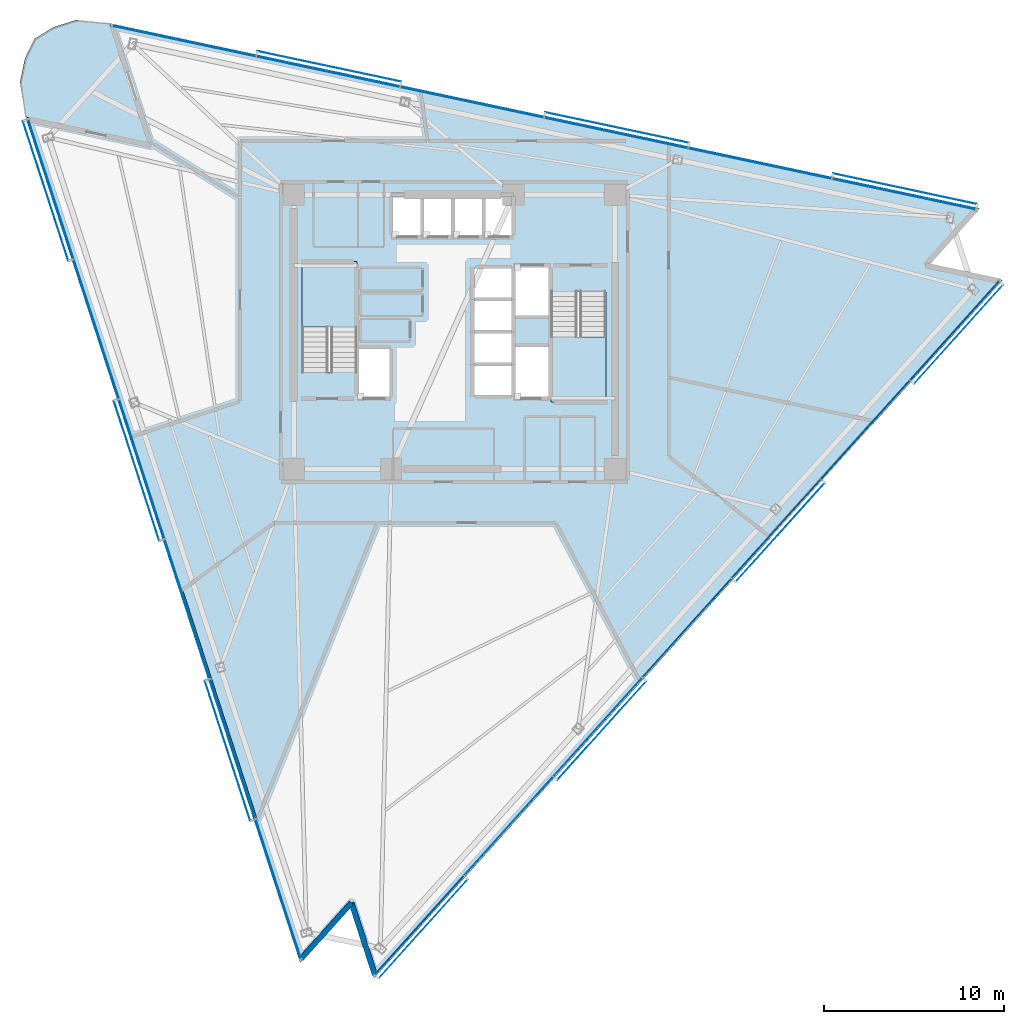
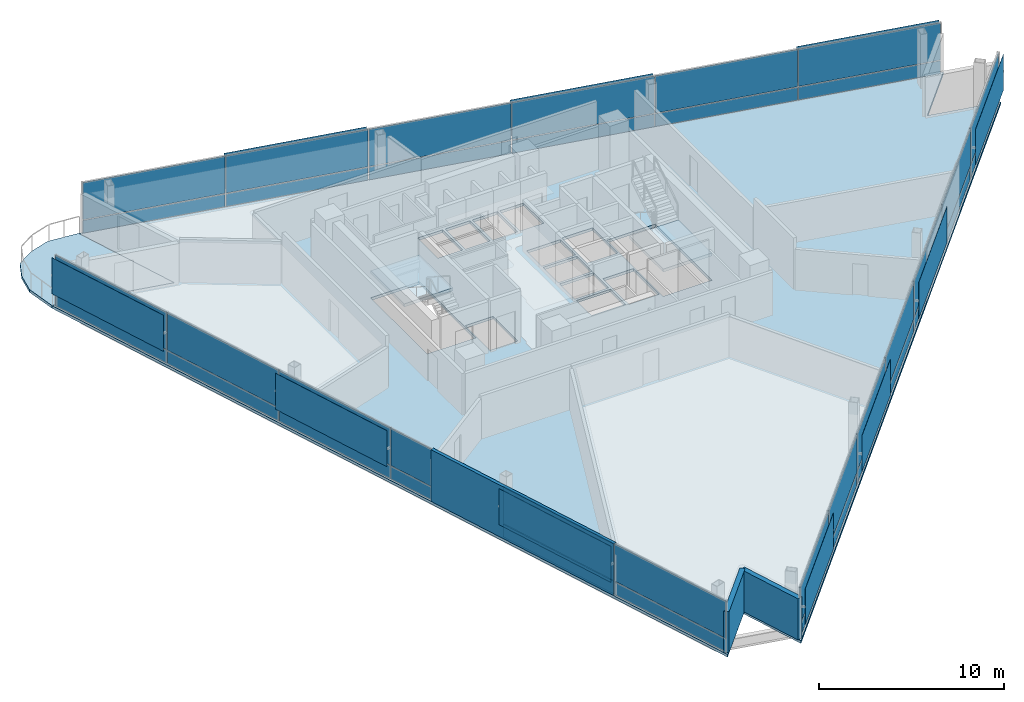
# One storey, part 9 of 17: 48 plates, 4 slabs, 3 walls, 5 elements without a shape of their own.
"""IFC4 building model written with IfcOpenShell, lengths in metres."""

from ifc_helpers import new_model, si_unit, direction, frame, frame_2d, origin, origin_2d, place, context, subcontext, project, spatial, polyline, rectangle, outline, extrude, material, layer, layer_set, type_object, element, aggregate, save


model = new_model("IFC4")

# Units and contexts
model_context = context("Model", 3, precision=1e-05, world=origin(), true_north=direction((0.0, 1.0)))
body_context = subcontext(model_context, "Body", "Model", "MODEL_VIEW")
ifc_project = project(units=[si_unit("LENGTHUNIT", "METRE"), si_unit("AREAUNIT", "SQUARE_METRE"), si_unit("VOLUMEUNIT", "CUBIC_METRE"), si_unit("PLANEANGLEUNIT", "RADIAN"), si_unit("MASSUNIT", "GRAM", prefix="KILO")], contexts=[model_context])

# Site, building, storey
site_placement = place(None, origin())
site = spatial("IfcSite", under=ifc_project, at=site_placement, CompositionType="ELEMENT")
building_placement = place(site_placement, origin())
building = spatial("IfcBuilding", under=site, at=building_placement, Name="Tharavind Bronze Gate", CompositionType="ELEMENT")
storey_placement = place(building_placement, frame((0.0, 0.0, 207.64990234375)))
storey = spatial("IfcBuildingStorey", under=building, at=storey_placement, Name="L53", CompositionType="ELEMENT", Elevation=207.64990234375)

# Plates
ifc_material_1 = material(Name="Perforated Bronze Alloy", Category="bronze")
ifc_layer_1 = layer(ifc_material_1, 0.011962890625)
ifc_layer_set_1 = layer_set([ifc_layer_1], Name="Perforated Bronze Alloy")
plate_type_1 = type_object("IfcPlateType", Name="BRONZE PERFORATED SOLAR SCREEN", PredefinedType="USERDEFINED", material=ifc_layer_set_1)
for number, where, z_axis, x_axis, name in (
    (1, (-22.650634765625, 7.81103515625, 0.966796875), (0.0, 0.0, 1.0), (0.309016994375, -0.951056516295, 0.0), "CW-L53-S1 perforated bronze solar screen 1"),
    (2, (-17.610107421875, -7.701904296875, 0.966796875), (0.0, 0.0, 1.0), (0.309016994375, -0.951056516295, 0.0), "CW-L53-S1 perforated bronze solar screen 3"),
    (3, (-12.569580078125, -23.215087890625, 0.966796875), (0.0, 0.0, 1.0), (0.309016994375, -0.951056516295, 0.0), "CW-L53-S1 perforated bronze solar screen 5"),
):
    element("IfcPlate", number, at=place(storey_placement, frame(where, z_axis=z_axis, x_axis=x_axis)), inside=storey, type_object=plate_type_1, Name=name, ObjectType="SCREEN", PredefinedType="USERDEFINED", context=body_context, shape_type="SweptSolid", body=[
        extrude(rectangle(XDim=8.1357421875, YDim=0.011962890625, at=origin_2d()), origin(), (0.0, 0.0, 1.0), 2.386962890625),
    ])
for number, where, z_axis, x_axis, name in (
    (4, (-1.720703125, -33.081298828125, 0.966796875), (0.0, 0.0, 1.0), (0.669130606359, 0.743144825477, 0.0), "CW-L53-S2 perforated bronze solar screen 1"),
    (5, (8.168212890625, -22.098388671875, 0.966796875), (0.0, 0.0, 1.0), (0.669130606359, 0.743144825477, 0.0), "CW-L53-S2 perforated bronze solar screen 3"),
    (6, (18.057373046875, -11.115478515625, 0.966796875), (0.0, 0.0, 1.0), (0.669130606359, 0.743144825477, 0.0), "CW-L53-S2 perforated bronze solar screen 5"),
    (7, (27.9462890625, -0.132568359375, 0.966796875), (0.0, 0.0, 1.0), (0.669130606359, 0.743144825477, 0.0), "CW-L53-S2 perforated bronze solar screen 7"),
):
    element("IfcPlate", number, at=place(storey_placement, frame(where, z_axis=z_axis, x_axis=x_axis)), inside=storey, type_object=plate_type_1, Name=name, ObjectType="SCREEN", PredefinedType="USERDEFINED", context=body_context, shape_type="SweptSolid", body=[
        extrude(rectangle(XDim=7.369384765625, YDim=0.011962890625, at=origin_2d()), origin(), (0.0, 0.0, 1.0), 2.386962890625),
    ])
for number, where, z_axis, x_axis, name in (
    (8, (24.977783203125, 7.929931640625, 0.966796875), (0.0, 0.0, 1.0), (-0.978147600734, 0.207911690818, 0.0), "CW-L53-S3 perforated bronze solar screen 1"),
    (9, (9.022705078125, 11.3212890625, 0.966796875), (0.0, 0.0, 1.0), (-0.978147600734, 0.207911690818, 0.0), "CW-L53-S3 perforated bronze solar screen 3"),
    (10, (-6.93212890625, 14.712646484375, 0.966796875), (0.0, 0.0, 1.0), (-0.978147600734, 0.207911690818, 0.0), "CW-L53-S3 perforated bronze solar screen 5"),
):
    element("IfcPlate", number, at=place(storey_placement, frame(where, z_axis=z_axis, x_axis=x_axis)), inside=storey, type_object=plate_type_1, Name=name, ObjectType="SCREEN", PredefinedType="USERDEFINED", context=body_context, shape_type="SweptSolid", body=[
        extrude(rectangle(XDim=8.1357421875, YDim=0.011962890625, at=origin_2d()), origin(), (0.0, 0.0, 1.0), 2.386962890625),
    ])

# Curtain wall, plates
ifc_material_2 = material(Name="Anodised Bronze Aluminium", Category="aluminium")
ifc_layer_2 = layer(ifc_material_2, 0.219970703125)
ifc_layer_set_2 = layer_set([ifc_layer_2], Name="Anodised Bronze Aluminium")
curtain_wall_type = type_object("IfcCurtainWallType", Name="UNITISED CURTAIN WALL MID OFFICE", PredefinedType="USERDEFINED", material=ifc_layer_set_2)
curtain_wall_1_placement = place(storey_placement, origin())
curtain_wall_1 = element("IfcCurtainWall", 11, at=curtain_wall_1_placement, inside=storey, type_object=curtain_wall_type, Name="L53 unitised curtain wall mid office CW-L53-S1", ObjectType="UNITISED CURTAIN WALL", PredefinedType="USERDEFINED")
ifc_material_3 = material(Name="Patinated Bronze Alloy Sheet", Category="bronze")
ifc_layer_3 = layer(ifc_material_3, 0.01611328125)
ifc_layer_set_3 = layer_set([ifc_layer_3], Name="Patinated Bronze Alloy Sheet")
plate_type_2 = type_object("IfcPlateType", Name="BRONZE SPANDREL CLADDING PANEL 16", PredefinedType="CURTAIN_PANEL", material=ifc_layer_set_3)
plate_1_placement = place(storey_placement, frame((-22.3701171875, 7.902099609375, 0.02685546875), z_axis=(0.0, 0.0, 1.0), x_axis=(0.309016994375, -0.951056516295, 0.0)))
plate_1 = element("IfcPlate", 12, at=plate_1_placement, type_object=plate_type_2, Name="CW-L53-S1 bronze spandrel panel 1", PredefinedType="CURTAIN_PANEL", context=body_context, shape_type="SweptSolid", body=[
    extrude(rectangle(XDim=8.102783203125, YDim=0.01611328125, at=origin_2d()), origin(), (0.0, 0.0, 1.0), 0.846923828125),
])
plate_2_placement = place(storey_placement, frame((-19.849853515625, 0.145751953125, 0.02685546875), z_axis=(0.0, 0.0, 1.0), x_axis=(0.309016994375, -0.951056516295, 0.0)))
plate_2 = element("IfcPlate", 13, at=plate_2_placement, type_object=plate_type_2, Name="CW-L53-S1 bronze spandrel panel 2", PredefinedType="CURTAIN_PANEL", context=body_context, shape_type="SweptSolid", body=[
    extrude(rectangle(XDim=8.102783203125, YDim=0.01611328125, at=origin_2d()), origin(), (0.0, 0.0, 1.0), 0.846923828125),
])
plate_3_placement = place(storey_placement, frame((-17.32958984375, -7.61083984375, 0.02685546875), z_axis=(0.0, 0.0, 1.0), x_axis=(0.309016994375, -0.951056516295, 0.0)))
plate_3 = element("IfcPlate", 14, at=plate_3_placement, type_object=plate_type_2, Name="CW-L53-S1 bronze spandrel panel 3", PredefinedType="CURTAIN_PANEL", context=body_context, shape_type="SweptSolid", body=[
    extrude(rectangle(XDim=8.102783203125, YDim=0.01611328125, at=origin_2d()), origin(), (0.0, 0.0, 1.0), 0.846923828125),
])
plate_4_placement = place(storey_placement, frame((-14.809326171875, -15.367431640625, 0.02685546875), z_axis=(0.0, 0.0, 1.0), x_axis=(0.309016994375, -0.951056516295, 0.0)))
plate_4 = element("IfcPlate", 15, at=plate_4_placement, type_object=plate_type_2, Name="CW-L53-S1 bronze spandrel panel 4", PredefinedType="CURTAIN_PANEL", context=body_context, shape_type="SweptSolid", body=[
    extrude(rectangle(XDim=8.102783203125, YDim=0.01611328125, at=origin_2d()), origin(), (0.0, 0.0, 1.0), 0.846923828125),
])
plate_5_placement = place(storey_placement, frame((-12.2890625, -23.123779296875, 0.02685546875), z_axis=(0.0, 0.0, 1.0), x_axis=(0.309016994375, -0.951056516295, 0.0)))
plate_5 = element("IfcPlate", 16, at=plate_5_placement, type_object=plate_type_2, Name="CW-L53-S1 bronze spandrel panel 5", PredefinedType="CURTAIN_PANEL", context=body_context, shape_type="SweptSolid", body=[
    extrude(rectangle(XDim=8.102783203125, YDim=0.01611328125, at=origin_2d()), origin(), (0.0, 0.0, 1.0), 0.846923828125),
])
plate_6_placement = place(storey_placement, frame((-9.768798828125, -30.88037109375, 0.02685546875), z_axis=(0.0, 0.0, 1.0), x_axis=(0.309016994375, -0.951056516295, 0.0)))
plate_6 = element("IfcPlate", 17, at=plate_6_placement, type_object=plate_type_2, Name="CW-L53-S1 bronze spandrel panel 6", PredefinedType="CURTAIN_PANEL", context=body_context, shape_type="SweptSolid", body=[
    extrude(rectangle(XDim=8.102783203125, YDim=0.01611328125, at=origin_2d()), origin(), (0.0, 0.0, 1.0), 0.846923828125),
])

curtain_wall_2_placement = place(storey_placement, origin())
curtain_wall_2 = element("IfcCurtainWall", 18, at=curtain_wall_2_placement, inside=storey, type_object=curtain_wall_type, Name="L53 unitised curtain wall mid office CW-L53-S2", ObjectType="UNITISED CURTAIN WALL", PredefinedType="USERDEFINED")
plate_7_placement = place(storey_placement, frame((-1.93994140625, -32.8837890625, 0.02685546875), z_axis=(0.0, 0.0, 1.0), x_axis=(0.669130606359, 0.743144825477, 0.0)))
plate_7 = element("IfcPlate", 19, at=plate_7_placement, type_object=plate_type_2, Name="CW-L53-S2 bronze spandrel panel 1", PredefinedType="CURTAIN_PANEL", context=body_context, shape_type="SweptSolid", body=[
    extrude(rectangle(XDim=7.33642578125, YDim=0.01611328125, at=origin_2d()), origin(), (0.0, 0.0, 1.0), 0.846923828125),
])
plate_8_placement = place(storey_placement, frame((3.004638671875, -27.392333984375, 0.02685546875), z_axis=(0.0, 0.0, 1.0), x_axis=(0.669130606359, 0.743144825477, 0.0)))
plate_8 = element("IfcPlate", 20, at=plate_8_placement, type_object=plate_type_2, Name="CW-L53-S2 bronze spandrel panel 2", PredefinedType="CURTAIN_PANEL", context=body_context, shape_type="SweptSolid", body=[
    extrude(rectangle(XDim=7.33642578125, YDim=0.01611328125, at=origin_2d()), origin(), (0.0, 0.0, 1.0), 0.846923828125),
])
plate_9_placement = place(storey_placement, frame((7.94921875, -21.90087890625, 0.02685546875), z_axis=(0.0, 0.0, 1.0), x_axis=(0.669130606359, 0.743144825477, 0.0)))
plate_9 = element("IfcPlate", 21, at=plate_9_placement, type_object=plate_type_2, Name="CW-L53-S2 bronze spandrel panel 3", PredefinedType="CURTAIN_PANEL", context=body_context, shape_type="SweptSolid", body=[
    extrude(rectangle(XDim=7.33642578125, YDim=0.01611328125, at=origin_2d()), origin(), (0.0, 0.0, 1.0), 0.846923828125),
])
plate_10_placement = place(storey_placement, frame((12.8935546875, -16.409423828125, 0.02685546875), z_axis=(0.0, 0.0, 1.0), x_axis=(0.669130606359, 0.743144825477, 0.0)))
plate_10 = element("IfcPlate", 22, at=plate_10_placement, type_object=plate_type_2, Name="CW-L53-S2 bronze spandrel panel 4", PredefinedType="CURTAIN_PANEL", context=body_context, shape_type="SweptSolid", body=[
    extrude(rectangle(XDim=7.33642578125, YDim=0.01611328125, at=origin_2d()), origin(), (0.0, 0.0, 1.0), 0.846923828125),
])
plate_11_placement = place(storey_placement, frame((17.838134765625, -10.91796875, 0.02685546875), z_axis=(0.0, 0.0, 1.0), x_axis=(0.669130606359, 0.743144825477, 0.0)))
plate_11 = element("IfcPlate", 23, at=plate_11_placement, type_object=plate_type_2, Name="CW-L53-S2 bronze spandrel panel 5", PredefinedType="CURTAIN_PANEL", context=body_context, shape_type="SweptSolid", body=[
    extrude(rectangle(XDim=7.33642578125, YDim=0.01611328125, at=origin_2d()), origin(), (0.0, 0.0, 1.0), 0.846923828125),
])
plate_12_placement = place(storey_placement, frame((22.78271484375, -5.426513671875, 0.02685546875), z_axis=(0.0, 0.0, 1.0), x_axis=(0.669130606359, 0.743144825477, 0.0)))
plate_12 = element("IfcPlate", 24, at=plate_12_placement, type_object=plate_type_2, Name="CW-L53-S2 bronze spandrel panel 6", PredefinedType="CURTAIN_PANEL", context=body_context, shape_type="SweptSolid", body=[
    extrude(rectangle(XDim=7.33642578125, YDim=0.01611328125, at=origin_2d()), origin(), (0.0, 0.0, 1.0), 0.846923828125),
])
plate_13_placement = place(storey_placement, frame((27.72705078125, 0.06494140625, 0.02685546875), z_axis=(0.0, 0.0, 1.0), x_axis=(0.669130606359, 0.743144825477, 0.0)))
plate_13 = element("IfcPlate", 25, at=plate_13_placement, type_object=plate_type_2, Name="CW-L53-S2 bronze spandrel panel 7", PredefinedType="CURTAIN_PANEL", context=body_context, shape_type="SweptSolid", body=[
    extrude(rectangle(XDim=7.33642578125, YDim=0.01611328125, at=origin_2d()), origin(), (0.0, 0.0, 1.0), 0.846923828125),
])

curtain_wall_3_placement = place(storey_placement, origin())
curtain_wall_3 = element("IfcCurtainWall", 26, at=curtain_wall_3_placement, inside=storey, type_object=curtain_wall_type, Name="L53 unitised curtain wall mid office CW-L53-S3", ObjectType="UNITISED CURTAIN WALL", PredefinedType="USERDEFINED")
plate_14_placement = place(storey_placement, frame((24.91650390625, 7.641357421875, 0.02685546875), z_axis=(0.0, 0.0, 1.0), x_axis=(-0.978147600734, 0.207911690818, 0.0)))
plate_14 = element("IfcPlate", 27, at=plate_14_placement, type_object=plate_type_2, Name="CW-L53-S3 bronze spandrel panel 1", PredefinedType="CURTAIN_PANEL", context=body_context, shape_type="SweptSolid", body=[
    extrude(rectangle(XDim=8.102783203125, YDim=0.01611328125, at=origin_2d()), origin(), (0.0, 0.0, 1.0), 0.846923828125),
])
plate_15_placement = place(storey_placement, frame((16.93896484375, 9.337158203125, 0.02685546875), z_axis=(0.0, 0.0, 1.0), x_axis=(-0.978147600734, 0.207911690818, 0.0)))
plate_15 = element("IfcPlate", 28, at=plate_15_placement, type_object=plate_type_2, Name="CW-L53-S3 bronze spandrel panel 2", PredefinedType="CURTAIN_PANEL", context=body_context, shape_type="SweptSolid", body=[
    extrude(rectangle(XDim=8.102783203125, YDim=0.01611328125, at=origin_2d()), origin(), (0.0, 0.0, 1.0), 0.846923828125),
])
plate_16_placement = place(storey_placement, frame((8.96142578125, 11.03271484375, 0.02685546875), z_axis=(0.0, 0.0, 1.0), x_axis=(-0.978147600734, 0.207911690818, 0.0)))
plate_16 = element("IfcPlate", 29, at=plate_16_placement, type_object=plate_type_2, Name="CW-L53-S3 bronze spandrel panel 3", PredefinedType="CURTAIN_PANEL", context=body_context, shape_type="SweptSolid", body=[
    extrude(rectangle(XDim=8.102783203125, YDim=0.01611328125, at=origin_2d()), origin(), (0.0, 0.0, 1.0), 0.846923828125),
])
plate_17_placement = place(storey_placement, frame((0.98388671875, 12.728515625, 0.02685546875), z_axis=(0.0, 0.0, 1.0), x_axis=(-0.978147600734, 0.207911690818, 0.0)))
plate_17 = element("IfcPlate", 30, at=plate_17_placement, type_object=plate_type_2, Name="CW-L53-S3 bronze spandrel panel 4", PredefinedType="CURTAIN_PANEL", context=body_context, shape_type="SweptSolid", body=[
    extrude(rectangle(XDim=8.102783203125, YDim=0.01611328125, at=origin_2d()), origin(), (0.0, 0.0, 1.0), 0.846923828125),
])
plate_18_placement = place(storey_placement, frame((-6.993408203125, 14.424072265625, 0.02685546875), z_axis=(0.0, 0.0, 1.0), x_axis=(-0.978147600734, 0.207911690818, 0.0)))
plate_18 = element("IfcPlate", 31, at=plate_18_placement, type_object=plate_type_2, Name="CW-L53-S3 bronze spandrel panel 5", PredefinedType="CURTAIN_PANEL", context=body_context, shape_type="SweptSolid", body=[
    extrude(rectangle(XDim=8.102783203125, YDim=0.01611328125, at=origin_2d()), origin(), (0.0, 0.0, 1.0), 0.846923828125),
])
plate_19_placement = place(storey_placement, frame((-14.970947265625, 16.119873046875, 0.02685546875), z_axis=(0.0, 0.0, 1.0), x_axis=(-0.978147600734, 0.207911690818, 0.0)))
plate_19 = element("IfcPlate", 32, at=plate_19_placement, type_object=plate_type_2, Name="CW-L53-S3 bronze spandrel panel 6", PredefinedType="CURTAIN_PANEL", context=body_context, shape_type="SweptSolid", body=[
    extrude(rectangle(XDim=8.102783203125, YDim=0.01611328125, at=origin_2d()), origin(), (0.0, 0.0, 1.0), 0.846923828125),
])

# Slab
ifc_material_4 = material(Name="Concrete C40/50", Category="concrete")
ifc_layer_4 = layer(ifc_material_4, 0.179931640625)
ifc_layer_set_4 = layer_set([ifc_layer_4], Name="Concrete C40/50")
slab_type_1 = type_object("IfcSlabType", Name="EXTERIOR BALCONY SLAB 180", PredefinedType="FLOOR", material=ifc_layer_set_4)
slab_1_placement = place(storey_placement, frame((0.0, 0.0, -0.179931640625)))
element("IfcSlab", 33, at=slab_1_placement, inside=storey, type_object=slab_type_1, Name="L53 northeast tree balcony slab", PredefinedType="FLOOR", context=body_context, shape_type="SweptSolid", body=[
    extrude(outline(polyline([(-20.960693359375, 17.28564453125), (-22.246337890625, 16.877685546875), (-23.275634765625, 16.239013671875), (-23.80322265625, 15.148681640625), (-24.074462890625, 13.82763671875), (-23.77880859375, 11.914306640625), (-16.951416015625, 10.463134765625), (-19.1083984375, 17.101318359375), (-20.960693359375, 17.28564453125)])), origin(), (0.0, 0.0, 1.0), 0.179931640625),
])

# Stair, slab
stair_type = type_object("IfcStairType", Name="CORE HALF TURN STAIR 1450", PredefinedType="HALF_TURN_STAIR", material=ifc_material_4)
stair_1_placement = place(storey_placement, origin())
stair_1 = element("IfcStair", 34, at=stair_1_placement, inside=storey, type_object=stair_type, Name="L53 Protected Exit Stair ST1", PredefinedType="HALF_TURN_STAIR")
ifc_layer_5 = layer(ifc_material_4, 0.199951171875)
ifc_layer_set_5 = layer_set([ifc_layer_5], Name="Concrete C40/50")
slab_type_2 = type_object("IfcSlabType", Name="STAIR LANDING SLAB 200", PredefinedType="LANDING", material=ifc_layer_set_5)
slab_2_placement = place(storey_placement, frame((0.0, 0.0, 1.60009765625)))
slab_2 = element("IfcSlab", 35, at=slab_2_placement, type_object=slab_type_2, Name="ST1 landing 1", PredefinedType="LANDING", context=body_context, shape_type="SweptSolid", body=[
    extrude(outline(polyline([(-5.39990234375, 0.27001953125), (-5.39990234375, 3.89990234375), (-8.449951171875, 3.89990234375), (-8.449951171875, 0.27001953125), (-5.39990234375, 0.27001953125)])), origin(), (0.0, 0.0, 1.0), 0.199951171875),
])
aggregate(stair_1, [slab_2])

stair_2_placement = place(storey_placement, origin())
stair_2 = element("IfcStair", 36, at=stair_2_placement, inside=storey, type_object=stair_type, Name="L53 Protected Exit Stair ST2", PredefinedType="HALF_TURN_STAIR")
slab_3_placement = place(storey_placement, frame((0.0, 0.0, 1.60009765625)))
slab_3 = element("IfcSlab", 37, at=slab_3_placement, type_object=slab_type_2, Name="ST2 landing 1", PredefinedType="LANDING", context=body_context, shape_type="SweptSolid", body=[
    extrude(outline(polyline([(5.35009765625, -0.27001953125), (5.35009765625, -3.89990234375), (8.39990234375, -3.89990234375), (8.39990234375, -0.27001953125), (5.35009765625, -0.27001953125)])), origin(), (0.0, 0.0, 1.0), 0.199951171875),
])
aggregate(stair_2, [slab_3])

# Slab
ifc_layer_6 = layer(ifc_material_4, 0.179931640625)
ifc_layer_set_6 = layer_set([ifc_layer_6], Name="Concrete C40/50")
slab_type_3 = type_object("IfcSlabType", Name="STRUCTURAL FLOOR SLAB 180", PredefinedType="FLOOR", material=ifc_layer_set_6)
slab_4_placement = place(storey_placement, frame((0.0, 0.0, -0.179931640625)))
element("IfcSlab", 38, at=slab_4_placement, inside=storey, type_object=slab_type_3, Name="L53 main structural floor slab", PredefinedType="FLOOR", context=body_context, shape_type="SweptSolid", body=[
    extrude(outline(polyline([(-19.1083984375, 17.101318359375), (-16.951416015625, 10.463134765625), (-23.77880859375, 11.914306640625), (-8.55029296875, -34.954345703125), (-5.748046875, -31.842041015625), (-4.453857421875, -35.8251953125), (30.3896484375, 2.872314453125), (26.293212890625, 3.7431640625), (29.095458984375, 6.85546875), (-19.1083984375, 17.101318359375)]), holes=[polyline([(-5.39990234375, -2.215087890625), (-5.39990234375, 3.89990234375), (-8.449951171875, 3.89990234375), (-8.449951171875, -2.215087890625), (-5.39990234375, -2.215087890625)]), polyline([(5.35009765625, 2.215087890625), (5.35009765625, -3.89990234375), (8.39990234375, -3.89990234375), (8.39990234375, 2.215087890625), (5.35009765625, 2.215087890625)]), polyline([(-3.419921875, 5.330078125), (-1.867431640625, 5.330078125), (-1.867431640625, 7.52001953125), (-3.419921875, 7.52001953125), (-3.419921875, 5.330078125)]), polyline([(-1.70751953125, 5.330078125), (-0.155029296875, 5.330078125), (-0.155029296875, 7.52001953125), (-1.70751953125, 7.52001953125), (-1.70751953125, 5.330078125)]), polyline([(0.0048828125, 5.330078125), (1.5576171875, 5.330078125), (1.5576171875, 7.52001953125), (0.0048828125, 7.52001953125), (0.0048828125, 5.330078125)]), polyline([(1.717529296875, 5.330078125), (3.199951171875, 5.330078125), (3.199951171875, 7.52001953125), (1.717529296875, 7.52001953125), (1.717529296875, 5.330078125)]), polyline([(1.080078125, -3.52001953125), (3.199951171875, -3.52001953125), (3.199951171875, -1.8798828125), (1.080078125, -1.8798828125), (1.080078125, -3.52001953125)]), polyline([(1.080078125, -1.719970703125), (3.199951171875, -1.719970703125), (3.199951171875, -0.080078125), (1.080078125, -0.080078125), (1.080078125, -1.719970703125)]), polyline([(1.080078125, 0.080078125), (3.199951171875, 0.080078125), (3.199951171875, 1.719970703125), (1.080078125, 1.719970703125), (1.080078125, 0.080078125)]), polyline([(1.080078125, 1.8798828125), (3.199951171875, 1.8798828125), (3.199951171875, 3.52001953125), (1.080078125, 3.52001953125), (1.080078125, 1.8798828125)]), polyline([(-5.320068359375, -3.6201171875), (-3.580078125, -3.6201171875), (-3.580078125, -0.929931640625), (-5.320068359375, -0.929931640625), (-5.320068359375, -3.6201171875)]), polyline([(3.360107421875, 0.8798828125), (5.27001953125, 0.8798828125), (5.27001953125, 3.6201171875), (3.360107421875, 3.6201171875), (3.360107421875, 0.8798828125)]), polyline([(3.360107421875, -3.6201171875), (5.27001953125, -3.6201171875), (5.27001953125, -0.830078125), (3.360107421875, -0.830078125), (3.360107421875, -3.6201171875)])]), origin(), (0.0, 0.0, 1.0), 0.179931640625),
])

# Plate
ifc_material_5 = material(Name="Triple Solar Control Glazing", Category="glass")
ifc_layer_7 = layer(ifc_material_5, 0.0439453125)
ifc_layer_set_7 = layer_set([ifc_layer_7], Name="Triple Solar Control Glazing")
plate_type_3 = type_object("IfcPlateType", Name="TRIPLE GLAZED FACADE PANEL 44", PredefinedType="CURTAIN_PANEL", material=ifc_layer_set_7)
plate_20_placement = place(storey_placement, frame((-22.3701171875, 7.902099609375, 0.9267578125), z_axis=(0.0, 0.0, 1.0), x_axis=(0.309016994375, -0.951056516295, 0.0)))
plate_20 = element("IfcPlate", 39, at=plate_20_placement, type_object=plate_type_3, Name="CW-L53-S1 vision glazing panel 1", PredefinedType="CURTAIN_PANEL", context=body_context, shape_type="SweptSolid", body=[
    extrude(rectangle(XDim=8.102783203125, YDim=0.0439453125, at=origin_2d()), origin(), (0.0, 0.0, 1.0), 2.467041015625),
])

plate_21_placement = place(storey_placement, frame((-19.849853515625, 0.145751953125, 0.9267578125), z_axis=(0.0, 0.0, 1.0), x_axis=(0.309016994375, -0.951056516295, 0.0)))
plate_21 = element("IfcPlate", 40, at=plate_21_placement, type_object=plate_type_3, Name="CW-L53-S1 vision glazing panel 2", PredefinedType="CURTAIN_PANEL", context=body_context, shape_type="SweptSolid", body=[
    extrude(rectangle(XDim=8.102783203125, YDim=0.0439453125, at=origin_2d()), origin(), (0.0, 0.0, 1.0), 2.467041015625),
])

plate_22_placement = place(storey_placement, frame((-17.32958984375, -7.61083984375, 0.9267578125), z_axis=(0.0, 0.0, 1.0), x_axis=(0.309016994375, -0.951056516295, 0.0)))
plate_22 = element("IfcPlate", 41, at=plate_22_placement, type_object=plate_type_3, Name="CW-L53-S1 vision glazing panel 3", PredefinedType="CURTAIN_PANEL", context=body_context, shape_type="SweptSolid", body=[
    extrude(rectangle(XDim=8.102783203125, YDim=0.0439453125, at=origin_2d()), origin(), (0.0, 0.0, 1.0), 2.467041015625),
])

plate_23_placement = place(storey_placement, frame((-14.809326171875, -15.367431640625, 0.9267578125), z_axis=(0.0, 0.0, 1.0), x_axis=(0.309016994375, -0.951056516295, 0.0)))
plate_23 = element("IfcPlate", 42, at=plate_23_placement, type_object=plate_type_3, Name="CW-L53-S1 vision glazing panel 4", PredefinedType="CURTAIN_PANEL", context=body_context, shape_type="SweptSolid", body=[
    extrude(rectangle(XDim=8.102783203125, YDim=0.0439453125, at=origin_2d()), origin(), (0.0, 0.0, 1.0), 2.467041015625),
])

plate_24_placement = place(storey_placement, frame((-12.2890625, -23.123779296875, 0.9267578125), z_axis=(0.0, 0.0, 1.0), x_axis=(0.309016994375, -0.951056516295, 0.0)))
plate_24 = element("IfcPlate", 43, at=plate_24_placement, type_object=plate_type_3, Name="CW-L53-S1 vision glazing panel 5", PredefinedType="CURTAIN_PANEL", context=body_context, shape_type="SweptSolid", body=[
    extrude(rectangle(XDim=8.102783203125, YDim=0.0439453125, at=origin_2d()), origin(), (0.0, 0.0, 1.0), 2.467041015625),
])

plate_25_placement = place(storey_placement, frame((-9.768798828125, -30.88037109375, 0.9267578125), z_axis=(0.0, 0.0, 1.0), x_axis=(0.309016994375, -0.951056516295, 0.0)))
plate_25 = element("IfcPlate", 44, at=plate_25_placement, type_object=plate_type_3, Name="CW-L53-S1 vision glazing panel 6", PredefinedType="CURTAIN_PANEL", context=body_context, shape_type="SweptSolid", body=[
    extrude(rectangle(XDim=8.102783203125, YDim=0.0439453125, at=origin_2d()), origin(), (0.0, 0.0, 1.0), 2.467041015625),
])

aggregate(curtain_wall_1, [plate_1, plate_20, plate_2, plate_21, plate_3, plate_22, plate_4, plate_23, plate_5, plate_24, plate_6, plate_25])

plate_26_placement = place(storey_placement, frame((-1.93994140625, -32.8837890625, 0.9267578125), z_axis=(0.0, 0.0, 1.0), x_axis=(0.669130606359, 0.743144825477, 0.0)))
plate_26 = element("IfcPlate", 45, at=plate_26_placement, type_object=plate_type_3, Name="CW-L53-S2 vision glazing panel 1", PredefinedType="CURTAIN_PANEL", context=body_context, shape_type="SweptSolid", body=[
    extrude(rectangle(XDim=7.33642578125, YDim=0.0439453125, at=origin_2d()), origin(), (0.0, 0.0, 1.0), 2.467041015625),
])

plate_27_placement = place(storey_placement, frame((3.004638671875, -27.392333984375, 0.9267578125), z_axis=(0.0, 0.0, 1.0), x_axis=(0.669130606359, 0.743144825477, 0.0)))
plate_27 = element("IfcPlate", 46, at=plate_27_placement, type_object=plate_type_3, Name="CW-L53-S2 vision glazing panel 2", PredefinedType="CURTAIN_PANEL", context=body_context, shape_type="SweptSolid", body=[
    extrude(rectangle(XDim=7.33642578125, YDim=0.0439453125, at=origin_2d()), origin(), (0.0, 0.0, 1.0), 2.467041015625),
])

plate_28_placement = place(storey_placement, frame((7.94921875, -21.90087890625, 0.9267578125), z_axis=(0.0, 0.0, 1.0), x_axis=(0.669130606359, 0.743144825477, 0.0)))
plate_28 = element("IfcPlate", 47, at=plate_28_placement, type_object=plate_type_3, Name="CW-L53-S2 vision glazing panel 3", PredefinedType="CURTAIN_PANEL", context=body_context, shape_type="SweptSolid", body=[
    extrude(rectangle(XDim=7.33642578125, YDim=0.0439453125, at=origin_2d()), origin(), (0.0, 0.0, 1.0), 2.467041015625),
])

plate_29_placement = place(storey_placement, frame((12.8935546875, -16.409423828125, 0.9267578125), z_axis=(0.0, 0.0, 1.0), x_axis=(0.669130606359, 0.743144825477, 0.0)))
plate_29 = element("IfcPlate", 48, at=plate_29_placement, type_object=plate_type_3, Name="CW-L53-S2 vision glazing panel 4", PredefinedType="CURTAIN_PANEL", context=body_context, shape_type="SweptSolid", body=[
    extrude(rectangle(XDim=7.33642578125, YDim=0.0439453125, at=origin_2d()), origin(), (0.0, 0.0, 1.0), 2.467041015625),
])

plate_30_placement = place(storey_placement, frame((17.838134765625, -10.91796875, 0.9267578125), z_axis=(0.0, 0.0, 1.0), x_axis=(0.669130606359, 0.743144825477, 0.0)))
plate_30 = element("IfcPlate", 49, at=plate_30_placement, type_object=plate_type_3, Name="CW-L53-S2 vision glazing panel 5", PredefinedType="CURTAIN_PANEL", context=body_context, shape_type="SweptSolid", body=[
    extrude(rectangle(XDim=7.33642578125, YDim=0.0439453125, at=origin_2d()), origin(), (0.0, 0.0, 1.0), 2.467041015625),
])

plate_31_placement = place(storey_placement, frame((22.78271484375, -5.426513671875, 0.9267578125), z_axis=(0.0, 0.0, 1.0), x_axis=(0.669130606359, 0.743144825477, 0.0)))
plate_31 = element("IfcPlate", 50, at=plate_31_placement, type_object=plate_type_3, Name="CW-L53-S2 vision glazing panel 6", PredefinedType="CURTAIN_PANEL", context=body_context, shape_type="SweptSolid", body=[
    extrude(rectangle(XDim=7.33642578125, YDim=0.0439453125, at=origin_2d()), origin(), (0.0, 0.0, 1.0), 2.467041015625),
])

plate_32_placement = place(storey_placement, frame((27.72705078125, 0.06494140625, 0.9267578125), z_axis=(0.0, 0.0, 1.0), x_axis=(0.669130606359, 0.743144825477, 0.0)))
plate_32 = element("IfcPlate", 51, at=plate_32_placement, type_object=plate_type_3, Name="CW-L53-S2 vision glazing panel 7", PredefinedType="CURTAIN_PANEL", context=body_context, shape_type="SweptSolid", body=[
    extrude(rectangle(XDim=7.33642578125, YDim=0.0439453125, at=origin_2d()), origin(), (0.0, 0.0, 1.0), 2.467041015625),
])

aggregate(curtain_wall_2, [plate_7, plate_26, plate_8, plate_27, plate_9, plate_28, plate_10, plate_29, plate_11, plate_30, plate_12, plate_31, plate_13, plate_32])

plate_33_placement = place(storey_placement, frame((24.91650390625, 7.641357421875, 0.9267578125), z_axis=(0.0, 0.0, 1.0), x_axis=(-0.978147600734, 0.207911690818, 0.0)))
plate_33 = element("IfcPlate", 52, at=plate_33_placement, type_object=plate_type_3, Name="CW-L53-S3 vision glazing panel 1", PredefinedType="CURTAIN_PANEL", context=body_context, shape_type="SweptSolid", body=[
    extrude(rectangle(XDim=8.102783203125, YDim=0.0439453125, at=origin_2d()), origin(), (0.0, 0.0, 1.0), 2.467041015625),
])

plate_34_placement = place(storey_placement, frame((16.93896484375, 9.337158203125, 0.9267578125), z_axis=(0.0, 0.0, 1.0), x_axis=(-0.978147600734, 0.207911690818, 0.0)))
plate_34 = element("IfcPlate", 53, at=plate_34_placement, type_object=plate_type_3, Name="CW-L53-S3 vision glazing panel 2", PredefinedType="CURTAIN_PANEL", context=body_context, shape_type="SweptSolid", body=[
    extrude(rectangle(XDim=8.102783203125, YDim=0.0439453125, at=origin_2d()), origin(), (0.0, 0.0, 1.0), 2.467041015625),
])

plate_35_placement = place(storey_placement, frame((8.96142578125, 11.03271484375, 0.9267578125), z_axis=(0.0, 0.0, 1.0), x_axis=(-0.978147600734, 0.207911690818, 0.0)))
plate_35 = element("IfcPlate", 54, at=plate_35_placement, type_object=plate_type_3, Name="CW-L53-S3 vision glazing panel 3", PredefinedType="CURTAIN_PANEL", context=body_context, shape_type="SweptSolid", body=[
    extrude(rectangle(XDim=8.102783203125, YDim=0.0439453125, at=origin_2d()), origin(), (0.0, 0.0, 1.0), 2.467041015625),
])

plate_36_placement = place(storey_placement, frame((0.98388671875, 12.728515625, 0.9267578125), z_axis=(0.0, 0.0, 1.0), x_axis=(-0.978147600734, 0.207911690818, 0.0)))
plate_36 = element("IfcPlate", 55, at=plate_36_placement, type_object=plate_type_3, Name="CW-L53-S3 vision glazing panel 4", PredefinedType="CURTAIN_PANEL", context=body_context, shape_type="SweptSolid", body=[
    extrude(rectangle(XDim=8.102783203125, YDim=0.0439453125, at=origin_2d()), origin(), (0.0, 0.0, 1.0), 2.467041015625),
])

plate_37_placement = place(storey_placement, frame((-6.993408203125, 14.424072265625, 0.9267578125), z_axis=(0.0, 0.0, 1.0), x_axis=(-0.978147600734, 0.207911690818, 0.0)))
plate_37 = element("IfcPlate", 56, at=plate_37_placement, type_object=plate_type_3, Name="CW-L53-S3 vision glazing panel 5", PredefinedType="CURTAIN_PANEL", context=body_context, shape_type="SweptSolid", body=[
    extrude(rectangle(XDim=8.102783203125, YDim=0.0439453125, at=origin_2d()), origin(), (0.0, 0.0, 1.0), 2.467041015625),
])

plate_38_placement = place(storey_placement, frame((-14.970947265625, 16.119873046875, 0.9267578125), z_axis=(0.0, 0.0, 1.0), x_axis=(-0.978147600734, 0.207911690818, 0.0)))
plate_38 = element("IfcPlate", 57, at=plate_38_placement, type_object=plate_type_3, Name="CW-L53-S3 vision glazing panel 6", PredefinedType="CURTAIN_PANEL", context=body_context, shape_type="SweptSolid", body=[
    extrude(rectangle(XDim=8.102783203125, YDim=0.0439453125, at=origin_2d()), origin(), (0.0, 0.0, 1.0), 2.467041015625),
])

aggregate(curtain_wall_3, [plate_14, plate_33, plate_15, plate_34, plate_16, plate_35, plate_17, plate_36, plate_18, plate_37, plate_19, plate_38])

# Walls
ifc_layer_8 = layer(ifc_material_4, 0.300048828125)
ifc_layer_set_8 = layer_set([ifc_layer_8], Name="Concrete C40/50")
wall_type_1 = type_object("IfcWallType", Name="EXTERIOR SPANDREL WALL 300", PredefinedType="STANDARD", material=ifc_layer_set_8)
wall_1_placement = place(storey_placement, frame((-8.5087890625, -34.7587890625, 0.0), z_axis=(0.0, 0.0, 1.0), x_axis=(0.669151507466, 0.743126005504, 0.0)))
element("IfcWall", 58, at=wall_1_placement, inside=storey, type_object=wall_type_1, Name="L53 notch cheek wall 2A", PredefinedType="STANDARD", context=body_context, shape_type="SweptSolid", body=[
    extrude(rectangle(XDim=4.188232421875, YDim=0.300048828125, at=frame_2d((2.09423828125, 0.0))), origin(), (0.0, 0.0, 1.0), 2.715087890625),
])
wall_2_placement = place(storey_placement, frame((-5.706298828125, -31.646484375, 0.0), z_axis=(0.0, 0.0, 1.0), x_axis=(0.309030708092, -0.951052060329, 0.0)))
element("IfcWall", 59, at=wall_2_placement, inside=storey, type_object=wall_type_1, Name="L53 notch cheek wall 2B", PredefinedType="STANDARD", context=body_context, shape_type="SweptSolid", body=[
    extrude(rectangle(XDim=4.18798828125, YDim=0.300048828125, at=frame_2d((2.093994140625, 0.0))), origin(), (0.0, 0.0, 1.0), 2.715087890625),
])
ifc_material_6 = material(Name="Aerated Concrete Block", Category="concrete")
ifc_layer_9 = layer(ifc_material_6, 0.199951171875)
ifc_layer_set_9 = layer_set([ifc_layer_9], Name="Aerated Concrete Block")
wall_type_2 = type_object("IfcWallType", Name="FIRE RATED PARTITION 200", PredefinedType="PARTITIONING", material=ifc_layer_set_9)
wall_3_placement = place(storey_placement, frame((-11.026123046875, -27.0107421875, 0.0), z_axis=(0.0, 0.0, 1.0), x_axis=(-0.309025926892, 0.951053613898, 0.0)))
element("IfcWall", 60, at=wall_3_placement, inside=storey, type_object=wall_type_2, Name="L53 Public Restrooms Block partition", PredefinedType="PARTITIONING", context=body_context, shape_type="SweptSolid", body=[
    extrude(rectangle(XDim=13.308837890625, YDim=0.199951171875, at=frame_2d((6.654296875, 0.0))), origin(), (0.0, 0.0, 1.0), 3.420166015625),
])

save(model, "model.ifc")
